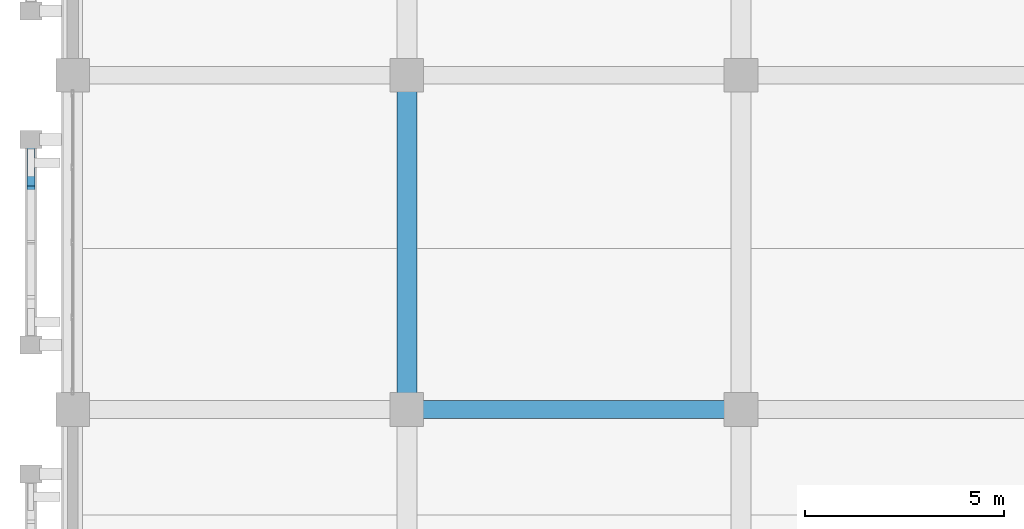
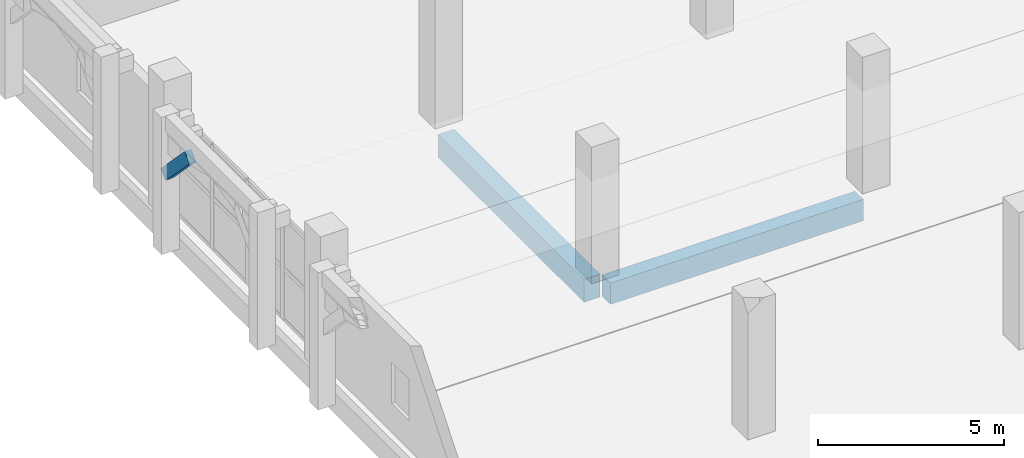
# One storey, part 19 of 137: 2 beams, 1 member.
"""IFC4 building model written with IfcOpenShell, lengths in metres."""

from ifc_helpers import new_model, si_unit, direction, frame, origin, origin_2d, place, context, subcontext, project, spatial, rectangle, extrude, material, material_profile, profile_set, type_object, element, save


model = new_model("IFC4")

# Units and contexts
model_context = context("Model", 3, precision=1e-05, world=origin(), true_north=direction((0.0, 1.0)))
body_context = subcontext(model_context, "Body", "Model", "MODEL_VIEW")
ifc_project = project(units=[si_unit("LENGTHUNIT", "METRE"), si_unit("AREAUNIT", "SQUARE_METRE"), si_unit("VOLUMEUNIT", "CUBIC_METRE"), si_unit("PLANEANGLEUNIT", "RADIAN"), si_unit("MASSUNIT", "GRAM", prefix="KILO")], contexts=[model_context])

# Site, building, storey
site_placement = place(None, origin())
site = spatial("IfcSite", under=ifc_project, at=site_placement, CompositionType="ELEMENT")
building_placement = place(site_placement, origin())
building = spatial("IfcBuilding", under=site, at=building_placement, Name="Xazarin Passage Department Store", CompositionType="ELEMENT")
storey_placement = place(building_placement, frame((0.0, 0.0, 5.39990234375)))
storey = spatial("IfcBuildingStorey", under=building, at=storey_placement, Name="L01", CompositionType="ELEMENT", Elevation=5.39990234375)

# Beams
ifc_material_1 = material(Name="Concrete C35/45", Category="concrete")
ifc_material_profile_1 = material_profile(ifc_material_1, rectangle(XDim=0.449951171875, YDim=0.699951171875, at=origin_2d()), Name="RC 450x700")
ifc_profile_set_1 = profile_set([ifc_material_profile_1], Name="Concrete C35/45")
beam_type_1 = type_object("IfcBeamType", Name="STR-BM-G450x700", PredefinedType="BEAM", material=ifc_profile_set_1)
beam_1_placement = place(storey_placement, frame((8.679931640625, 33.60009765625, -0.669921875), z_axis=(1.0, 0.0, 0.0), x_axis=(0.0, 1.0, 0.0)))
element("IfcBeam", 1, at=beam_1_placement, inside=storey, type_object=beam_type_1, Name="L01 Grid Beam E/2-3", PredefinedType="BEAM", context=body_context, shape_type="SweptSolid", body=[
    extrude(rectangle(XDim=0.449951171875, YDim=0.699951171875, at=origin_2d()), origin(), (0.0, 0.0, 1.0), 7.840087890625),
])
ifc_material_profile_2 = material_profile(ifc_material_1, rectangle(XDim=0.5, YDim=0.75, at=origin_2d()), Name="RC 500x750")
ifc_profile_set_2 = profile_set([ifc_material_profile_2], Name="Concrete C35/45")
beam_type_2 = type_object("IfcBeamType", Name="STR-BM-SP500x750", PredefinedType="SPANDREL", material=ifc_profile_set_2)
beam_2_placement = place(storey_placement, frame((8.39990234375, 33.8798828125, -0.69482421875), z_axis=(0.0, 1.0, 0.0), x_axis=(-1.0, 0.0, 0.0)))
element("IfcBeam", 2, at=beam_2_placement, inside=storey, type_object=beam_type_2, Name="L01 Grid Beam 2/E-F", PredefinedType="SPANDREL", context=body_context, shape_type="SweptSolid", body=[
    extrude(rectangle(XDim=0.5, YDim=0.75, at=origin_2d()), origin(), (0.0, 0.0, 1.0), 7.840087890625),
])

# Member
ifc_material_2 = material(Name="Concrete C40/50", Category="concrete")
ifc_material_profile_3 = material_profile(ifc_material_2, rectangle(XDim=0.199951171875, YDim=0.360107421875, at=origin_2d()), Name="RC 200x360")
ifc_profile_set_3 = profile_set([ifc_material_profile_3], Name="Concrete C40/50")
member_type = type_object("IfcMemberType", Name="STR-MEM-ARC360", PredefinedType="CHORD", material=ifc_profile_set_3)
member_placement = place(storey_placement, frame((-1.050048828125, 39.090087890625, 3.7705078125), z_axis=(0.0, 0.693391944082, -0.720560623322), x_axis=(-1.0, 0.0, 0.0)))
element("IfcMember", 3, at=member_placement, inside=storey, type_object=member_type, Name="L01 V3 Pierced Lattice Curved Arch 036.4", PredefinedType="CHORD", context=body_context, shape_type="SweptSolid", body=[
    extrude(rectangle(XDim=0.199951171875, YDim=0.360107421875, at=origin_2d()), origin(), (0.0, 0.0, 1.0), 1.860107421875),
])

save(model, "model.ifc")
